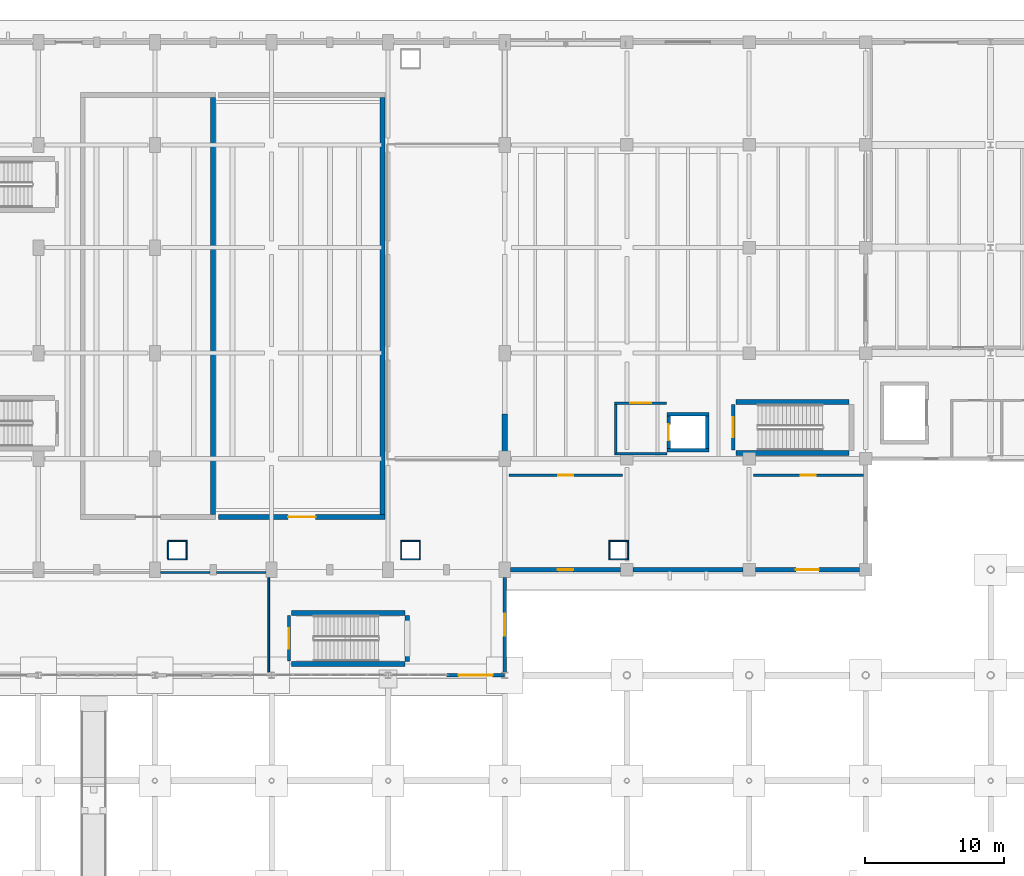
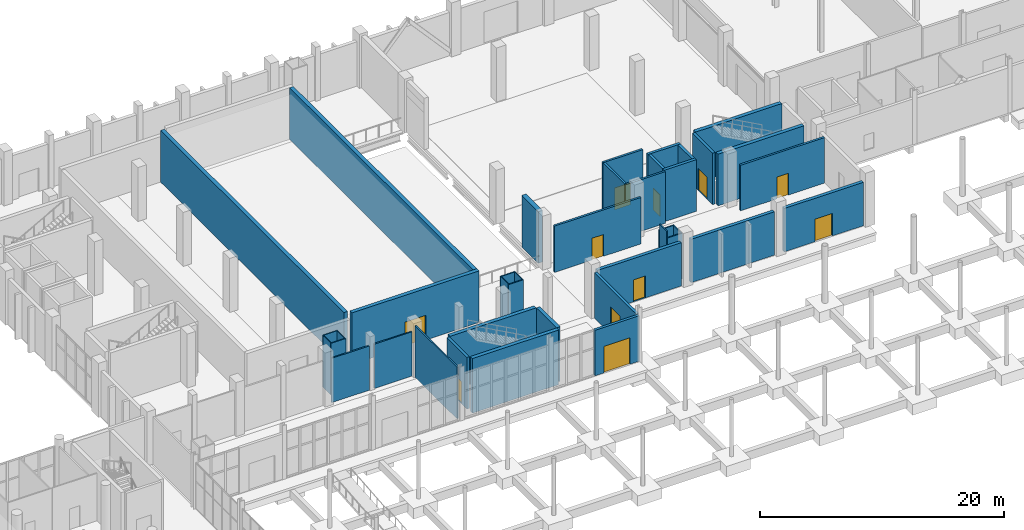
# One storey, part 76 of 95: 40 walls, 10 doors, 1 window, 11 openings.
"""IFC4 building model written with IfcOpenShell, lengths in metres."""

from ifc_helpers import new_model, si_unit, direction, frame, frame_2d, origin, place, context, subcontext, project, spatial, rectangle, extrude, material, layer, layer_set, type_object, element, fill, save


model = new_model("IFC4")

# Units and contexts
model_context = context("Model", 3, precision=1e-05, world=origin(), true_north=direction((0.0, 1.0)))
body_context = subcontext(model_context, "Body", "Model", "MODEL_VIEW")
ifc_project = project(units=[si_unit("LENGTHUNIT", "METRE"), si_unit("AREAUNIT", "SQUARE_METRE"), si_unit("VOLUMEUNIT", "CUBIC_METRE"), si_unit("PLANEANGLEUNIT", "RADIAN"), si_unit("MASSUNIT", "GRAM", prefix="KILO")], contexts=[model_context])

# Site, building, storey
site_placement = place(None, origin())
site = spatial("IfcSite", under=ifc_project, at=site_placement, CompositionType="ELEMENT")
building_placement = place(site_placement, origin())
building = spatial("IfcBuilding", under=site, at=building_placement, Name="Shengluoqiao Park Theatre", CompositionType="ELEMENT")
storey_placement = place(building_placement, origin())
storey = spatial("IfcBuildingStorey", under=building, at=storey_placement, Name="L00", CompositionType="ELEMENT", Elevation=0.0)

# Wall, opening, door
ifc_material_1 = material(Name="Concrete C40", Category="concrete")
ifc_layer_1 = layer(ifc_material_1, 0.31005859375, Name="Concrete C40")
ifc_layer_set_1 = layer_set([ifc_layer_1], Name="Concrete C40")
wall_type_1 = type_object("IfcWallType", Name="ENV-WL-CONC310", PredefinedType="STANDARD", material=ifc_layer_set_1)
wall_1_placement = place(storey_placement, frame((86.803955078125, 76.0, 0.0), z_axis=(0.0, 0.0, 1.0), x_axis=(1.0, 0.0, 0.0)))
wall_1 = element("IfcWall", 1, at=wall_1_placement, inside=storey, type_object=wall_type_1, Name="L00 Exterior Wall 0056", PredefinedType="STANDARD", context=body_context, shape_type="SweptSolid", body=[
    extrude(rectangle(XDim=7.942138671875, YDim=0.31005859375, at=frame_2d((3.97119140625, 0.0))), origin(), (0.0, 0.0, 1.0), 4.327880859375),
])
opening_1_placement = place(wall_1_placement, frame((3.410888671875, 0.0, 0.0)))
opening_1 = element("IfcOpeningElement", 2, at=opening_1_placement, cuts=wall_1, Name="Opening FD-FCR-003", PredefinedType="OPENING", context=body_context, shape_type="SweptSolid", body=[
    extrude(rectangle(XDim=1.1201171875, YDim=2.199951171875, at=frame_2d((0.56005859375, 1.10009765625))), frame((0.0, 0.1650390625, 0.0), z_axis=(0.0, -1.0, 0.0), x_axis=(1.0, 0.0, 0.0)), (0.0, 0.0, 1.0), 0.330078125),
])
ifc_material_2 = material(Name="Steel Q355", Category="steel")
door_type_1 = type_object("IfcDoorType", Name="ENV-DR-EX112", OperationType="NOTDEFINED", PredefinedType="DOOR", material=ifc_material_2)
door_1_placement = place(opening_1_placement, origin())
door_1 = element("IfcDoor", 3, at=door_1_placement, inside=storey, type_object=door_type_1, Name="Main Fire Control Room Direct Exit Door FD-FCR-003", OperationType="SINGLE_SWING_LEFT", OverallHeight=2.199951171875, OverallWidth=1.1201171875, PredefinedType="DOOR", context=body_context, shape_type="SweptSolid", body=[
    extrude(rectangle(XDim=1.1201171875, YDim=2.199951171875, at=frame_2d((0.56005859375, 1.10009765625))), frame((0.0, 0.02490234375, 0.0), z_axis=(0.0, -1.0, 0.0), x_axis=(1.0, 0.0, 0.0)), (0.0, 0.0, 1.0), 0.050048828125),
])
fill(opening_1, door_1)

# Wall
wall_2_placement = place(storey_placement, frame((95.654052734375, 76.0, 0.0), z_axis=(0.0, 0.0, 1.0), x_axis=(1.0, 0.0, 0.0)))
element("IfcWall", 4, at=wall_2_placement, inside=storey, type_object=wall_type_1, Name="L00 Exterior Wall 0057", PredefinedType="STANDARD", context=body_context, shape_type="SweptSolid", body=[
    extrude(rectangle(XDim=7.891845703125, YDim=0.31005859375, at=frame_2d((3.94580078125, 0.0))), origin(), (0.0, 0.0, 1.0), 4.337890625),
])

# Wall, opening, door
wall_3_placement = place(storey_placement, frame((104.4541015625, 76.0, 0.0), z_axis=(0.0, 0.0, 1.0), x_axis=(1.0, 0.0, 0.0)))
wall_3 = element("IfcWall", 5, at=wall_3_placement, inside=storey, type_object=wall_type_1, Name="L00 Exterior Wall 0058", PredefinedType="STANDARD", context=body_context, shape_type="SweptSolid", body=[
    extrude(rectangle(XDim=7.491943359375, YDim=0.31005859375, at=frame_2d((3.74609375, 0.0))), origin(), (0.0, 0.0, 1.0), 4.337890625),
])
opening_2_placement = place(wall_3_placement, frame((2.9208984375, 0.0, 0.0)))
opening_2 = element("IfcOpeningElement", 6, at=opening_2_placement, cuts=wall_3, Name="Opening ED-004", PredefinedType="OPENING", context=body_context, shape_type="SweptSolid", body=[
    extrude(rectangle(XDim=1.64990234375, YDim=2.25, at=frame_2d((0.824951171875, 1.125))), frame((0.0, 0.1650390625, 0.0), z_axis=(0.0, -1.0, 0.0), x_axis=(1.0, 0.0, 0.0)), (0.0, 0.0, 1.0), 0.330078125),
])
door_type_2 = type_object("IfcDoorType", Name="ENV-DR-EX165", OperationType="DOUBLE_DOOR_SINGLE_SWING", PredefinedType="DOOR", material=ifc_material_2)
door_2_placement = place(opening_2_placement, origin())
door_2 = element("IfcDoor", 7, at=door_2_placement, inside=storey, type_object=door_type_2, Name="Stage House South Exit Door ED-004", OperationType="DOUBLE_DOOR_SINGLE_SWING", OverallHeight=2.25, OverallWidth=1.64990234375, PredefinedType="DOOR", context=body_context, shape_type="SweptSolid", body=[
    extrude(rectangle(XDim=1.64990234375, YDim=2.25, at=frame_2d((0.824951171875, 1.125))), frame((0.0, 0.02490234375, 0.0), z_axis=(0.0, -1.0, 0.0), x_axis=(1.0, 0.0, 0.0)), (0.0, 0.0, 1.0), 0.050048828125),
])
fill(opening_2, door_2)

ifc_material_3 = material(Name="Precast concrete C45", Category="concrete")
ifc_layer_2 = layer(ifc_material_3, 0.25, Name="Precast concrete C45")
ifc_layer_set_2 = layer_set([ifc_layer_2], Name="Precast concrete C45")
wall_type_2 = type_object("IfcWallType", Name="ENV-WL-CRYS250", PredefinedType="STANDARD", material=ifc_layer_set_2)
wall_4_placement = place(storey_placement, frame((82.199951171875, 68.39990234375, 0.0), z_axis=(0.0, 0.0, 1.0), x_axis=(1.0, 0.0, 0.0)))
wall_4 = element("IfcWall", 8, at=wall_4_placement, inside=storey, type_object=wall_type_2, Name="L00 Exterior Wall 0112", PredefinedType="STANDARD", context=body_context, shape_type="SweptSolid", body=[
    extrude(rectangle(XDim=4.18798828125, YDim=0.25, at=frame_2d((2.093994140625, 0.0))), origin(), (0.0, 0.0, 1.0), 4.5419921875),
])
opening_3_placement = place(wall_4_placement, frame((0.868896484375, 0.0, 0.0)))
opening_3 = element("IfcOpeningElement", 9, at=opening_3_placement, cuts=wall_4, Name="Opening ED-PROM-011", PredefinedType="OPENING", context=body_context, shape_type="SweptSolid", body=[
    extrude(rectangle(XDim=2.449951171875, YDim=2.64990234375, at=frame_2d((1.22509765625, 1.324951171875))), frame((0.0, 0.135009765625, 0.0), z_axis=(0.0, -1.0, 0.0), x_axis=(1.0, 0.0, 0.0)), (0.0, 0.0, 1.0), 0.27001953125),
])
ifc_material_4 = material(Name="Aluminium 6063-T6", Category="aluminium")
door_type_3 = type_object("IfcDoorType", Name="ENV-DR-EX245", OperationType="DOUBLE_DOOR_SINGLE_SWING", PredefinedType="DOOR", material=ifc_material_4)
door_3_placement = place(opening_3_placement, origin())
door_3 = element("IfcDoor", 10, at=door_3_placement, inside=storey, type_object=door_type_3, Name="South Park Promenade Entrance Door ED-PROM-011", OperationType="DOUBLE_DOOR_SINGLE_SWING", OverallHeight=2.64990234375, OverallWidth=2.449951171875, PredefinedType="DOOR", context=body_context, shape_type="SweptSolid", body=[
    extrude(rectangle(XDim=2.449951171875, YDim=2.64990234375, at=frame_2d((1.22509765625, 1.324951171875))), frame((0.0, 0.02490234375, 0.0), z_axis=(0.0, -1.0, 0.0), x_axis=(1.0, 0.0, 0.0)), (0.0, 0.0, 1.0), 0.050048828125),
])
fill(opening_3, door_3)

# Wall, opening, window
wall_5_placement = place(storey_placement, frame((86.39990234375, 68.611083984375, 0.0), z_axis=(0.0, 0.0, 1.0), x_axis=(0.0, 1.0, 0.0)))
wall_5 = element("IfcWall", 11, at=wall_5_placement, inside=storey, type_object=wall_type_2, Name="L00 Exterior Wall 0293", PredefinedType="STANDARD", context=body_context, shape_type="SweptSolid", body=[
    extrude(rectangle(XDim=6.8349609375, YDim=0.25, at=frame_2d((3.41748046875, 0.0))), origin(), (0.0, 0.0, 1.0), 4.5419921875),
])
opening_4_placement = place(wall_5_placement, frame((2.617431640625, 0.0, 0.949951171875)))
opening_4 = element("IfcOpeningElement", 12, at=opening_4_placement, cuts=wall_5, Name="Opening W-06", PredefinedType="OPENING", context=body_context, shape_type="SweptSolid", body=[
    extrude(rectangle(XDim=1.60009765625, YDim=1.800048828125, at=frame_2d((0.800048828125, 0.89990234375))), frame((0.0, 0.135009765625, 0.0), z_axis=(0.0, -1.0, 0.0), x_axis=(1.0, 0.0, 0.0)), (0.0, 0.0, 1.0), 0.27001953125),
])
ifc_material_5 = material(Name="Insulated glass", Category="glass")
window_type = type_object("IfcWindowType", Name="ENV-WIN-W06", PartitioningType="DOUBLE_PANEL_VERTICAL", PredefinedType="WINDOW", material=ifc_material_5)
window_placement = place(opening_4_placement, origin())
window = element("IfcWindow", 13, at=window_placement, inside=storey, type_object=window_type, Name="L00 Acoustic Window 0125", OverallHeight=1.800048828125, OverallWidth=1.60009765625, PartitioningType="DOUBLE_PANEL_VERTICAL", PredefinedType="WINDOW", context=body_context, shape_type="SweptSolid", body=[
    extrude(rectangle(XDim=1.60009765625, YDim=1.800048828125, at=frame_2d((0.800048828125, 0.89990234375))), frame((0.0, 0.030029296875, 0.0), z_axis=(0.0, -1.0, 0.0), x_axis=(1.0, 0.0, 0.0)), (0.0, 0.0, 1.0), 0.06005859375),
])
fill(opening_4, window)

# Wall
ifc_material_6 = material(Name="Gypsum acoustic stud", Category="gypsum")
ifc_layer_3 = layer(ifc_material_6, 0.360107421875, Name="Gypsum acoustic stud")
ifc_layer_set_3 = layer_set([ifc_layer_3], Name="Gypsum acoustic stud")
wall_type_3 = type_object("IfcWallType", Name="INT-WL-ACO360", PredefinedType="PARTITIONING", material=ifc_layer_set_3)
wall_6_placement = place(storey_placement, frame((65.39990234375, 79.986083984375, 0.0), z_axis=(0.0, 0.0, 1.0), x_axis=(0.0, 1.0, 0.0)))
element("IfcWall", 14, at=wall_6_placement, inside=storey, type_object=wall_type_3, Name="Main Theatre Rear Stalls Partition E", PredefinedType="PARTITIONING", context=body_context, shape_type="SweptSolid", body=[
    extrude(rectangle(XDim=30.02783203125, YDim=0.360107421875, at=frame_2d((15.013916015625, 0.0))), origin(), (0.0, 0.0, 1.0), 5.159912109375),
])

# Wall, opening, door
wall_7_placement = place(storey_placement, frame((65.780029296875, 79.800048828125, 0.0), z_axis=(0.0, 0.0, 1.0), x_axis=(1.0, 0.0, 0.0)))
wall_7 = element("IfcWall", 15, at=wall_7_placement, inside=storey, type_object=wall_type_3, Name="Main Theatre Stalls Partition S", PredefinedType="PARTITIONING", context=body_context, shape_type="SweptSolid", body=[
    extrude(rectangle(XDim=12.0, YDim=0.360107421875, at=frame_2d((6.0, 0.0))), origin(), (0.0, 0.0, 1.0), 5.159912109375),
])
opening_5_placement = place(wall_7_placement, frame((5.010009765625, 0.0, 0.0)))
opening_5 = element("IfcOpeningElement", 16, at=opening_5_placement, cuts=wall_7, Name="Opening D-L00-020", PredefinedType="OPENING", context=body_context, shape_type="SweptSolid", body=[
    extrude(rectangle(XDim=1.97998046875, YDim=2.47998046875, at=frame_2d((0.989990234375, 1.239990234375))), frame((0.0, 0.18994140625, 0.0), z_axis=(0.0, -1.0, 0.0), x_axis=(1.0, 0.0, 0.0)), (0.0, 0.0, 1.0), 0.380126953125),
])
ifc_material_7 = material(Name="Acoustic timber", Category="wood")
door_type_4 = type_object("IfcDoorType", Name="INT-DR-AUD198", OperationType="DOUBLE_DOOR_SINGLE_SWING", PredefinedType="DOOR", material=ifc_material_7)
door_4_placement = place(opening_5_placement, origin())
door_4 = element("IfcDoor", 17, at=door_4_placement, inside=storey, type_object=door_type_4, Name="Main Theatre Stalls Door D-L00-020", OperationType="DOUBLE_DOOR_SINGLE_SWING", OverallHeight=2.47998046875, OverallWidth=1.97998046875, PredefinedType="DOOR", context=body_context, shape_type="SweptSolid", body=[
    extrude(rectangle(XDim=1.97998046875, YDim=2.47998046875, at=frame_2d((0.989990234375, 1.239990234375))), frame((0.0, 0.02490234375, 0.0), z_axis=(0.0, -1.0, 0.0), x_axis=(1.0, 0.0, 0.0)), (0.0, 0.0, 1.0), 0.050048828125),
])
fill(opening_5, door_4)

# Walls
wall_8_placement = place(storey_placement, frame((77.60009765625, 79.986083984375, 0.0), z_axis=(0.0, 0.0, 1.0), x_axis=(0.0, 1.0, 0.0)))
element("IfcWall", 18, at=wall_8_placement, inside=storey, type_object=wall_type_3, Name="Main Theatre Stalls Partition E", PredefinedType="PARTITIONING", context=body_context, shape_type="SweptSolid", body=[
    extrude(rectangle(XDim=30.02783203125, YDim=0.360107421875, at=frame_2d((15.013916015625, 0.0))), origin(), (0.0, 0.0, 1.0), 5.159912109375),
])
ifc_material_8 = material(Name="Concrete blockwork B06", Category="masonry")
ifc_layer_4 = layer(ifc_material_8, 0.195068359375, Name="Concrete blockwork B06")
ifc_layer_set_4 = layer_set([ifc_layer_4], Name="Concrete blockwork B06")
wall_type_4 = type_object("IfcWallType", Name="INT-WL-FFL195", PredefinedType="PARTITIONING", material=ifc_layer_set_4)
wall_9_placement = place(storey_placement, frame((94.31005859375, 84.35009765625, 0.0), z_axis=(0.0, 0.0, 1.0), x_axis=(1.0, 0.0, 0.0)))
element("IfcWall", 19, at=wall_9_placement, inside=storey, type_object=wall_type_4, Name="L00 Firefighting Lift Lobby FF1 Fire Wall S", PredefinedType="PARTITIONING", context=body_context, shape_type="SweptSolid", body=[
    extrude(rectangle(XDim=3.780029296875, YDim=0.195068359375, at=frame_2d((1.89013671875, 0.0))), origin(), (0.0, 0.0, 1.0), 5.159912109375),
])
wall_10_placement = place(storey_placement, frame((94.39990234375, 84.419921875, 0.0), z_axis=(0.0, 0.0, 1.0), x_axis=(0.0, 1.0, 0.0)))
element("IfcWall", 20, at=wall_10_placement, inside=storey, type_object=wall_type_4, Name="L00 Firefighting Lift Lobby FF1 Fire Wall W", PredefinedType="PARTITIONING", context=body_context, shape_type="SweptSolid", body=[
    extrude(rectangle(XDim=3.47509765625, YDim=0.195068359375, at=frame_2d((1.737548828125, 0.0))), origin(), (0.0, 0.0, 1.0), 5.159912109375),
])

# Wall, opening, door
wall_11_placement = place(storey_placement, frame((94.31005859375, 88.0, 0.0), z_axis=(0.0, 0.0, 1.0), x_axis=(1.0, 0.0, 0.0)))
wall_11 = element("IfcWall", 21, at=wall_11_placement, inside=storey, type_object=wall_type_4, Name="L00 Firefighting Lift Lobby FF1 Fire Wall N", PredefinedType="PARTITIONING", context=body_context, shape_type="SweptSolid", body=[
    extrude(rectangle(XDim=3.75, YDim=0.195068359375, at=frame_2d((1.875, 0.0))), origin(), (0.0, 0.0, 1.0), 5.159912109375),
])
opening_6_placement = place(wall_11_placement, frame((1.125, 0.0, 0.0)))
opening_6 = element("IfcOpeningElement", 22, at=opening_6_placement, cuts=wall_11, Name="Opening FD-FFL-1-L00", PredefinedType="OPENING", context=body_context, shape_type="SweptSolid", body=[
    extrude(rectangle(XDim=1.5, YDim=2.199951171875, at=frame_2d((0.75, 1.10009765625))), frame((0.0, 0.107421875, 0.0), z_axis=(0.0, -1.0, 0.0), x_axis=(1.0, 0.0, 0.0)), (0.0, 0.0, 1.0), 0.215087890625),
])
door_type_5 = type_object("IfcDoorType", Name="INT-DR-FFL150", OperationType="DOUBLE_DOOR_SINGLE_SWING", PredefinedType="DOOR", material=ifc_material_2)
door_5_placement = place(opening_6_placement, origin())
door_5 = element("IfcDoor", 23, at=door_5_placement, inside=storey, type_object=door_type_5, Name="L00 Firefighting Lift Lobby FF1 Fire Door FD-FFL-1-L00", OperationType="DOUBLE_DOOR_SINGLE_SWING", OverallHeight=2.199951171875, OverallWidth=1.5, PredefinedType="DOOR", context=body_context, shape_type="SweptSolid", body=[
    extrude(rectangle(XDim=1.5, YDim=2.199951171875, at=frame_2d((0.75, 1.10009765625))), frame((0.0, 0.02490234375, 0.0), z_axis=(0.0, -1.0, 0.0), x_axis=(1.0, 0.0, 0.0)), (0.0, 0.0, 1.0), 0.050048828125),
])
fill(opening_6, door_5)

wall_12_placement = place(storey_placement, frame((86.702392578125, 82.800048828125, 0.0), z_axis=(0.0, 0.0, 1.0), x_axis=(1.0, 0.0, 0.0)))
wall_12 = element("IfcWall", 24, at=wall_12_placement, inside=storey, type_object=wall_type_4, Name="Main Fire Control Room Partition N", PredefinedType="PARTITIONING", context=body_context, shape_type="SweptSolid", body=[
    extrude(rectangle(XDim=8.195068359375, YDim=0.195068359375, at=frame_2d((4.09765625, 0.0))), origin(), (0.0, 0.0, 1.0), 4.637939453125),
])
opening_7_placement = place(wall_12_placement, frame((3.5576171875, 0.0, 0.0)))
opening_7 = element("IfcOpeningElement", 25, at=opening_7_placement, cuts=wall_12, Name="Opening D-L00-017", PredefinedType="OPENING", context=body_context, shape_type="SweptSolid", body=[
    extrude(rectangle(XDim=1.080078125, YDim=2.179931640625, at=frame_2d((0.5400390625, 1.08984375))), frame((0.0, 0.107421875, 0.0), z_axis=(0.0, -1.0, 0.0), x_axis=(1.0, 0.0, 0.0)), (0.0, 0.0, 1.0), 0.215087890625),
])
door_type_6 = type_object("IfcDoorType", Name="INT-DR-FCR108", OperationType="NOTDEFINED", PredefinedType="DOOR", material=ifc_material_2)
door_6_placement = place(opening_7_placement, origin())
door_6 = element("IfcDoor", 26, at=door_6_placement, inside=storey, type_object=door_type_6, Name="Main Fire Control Room Door D-L00-017", OperationType="SINGLE_SWING_LEFT", OverallHeight=2.179931640625, OverallWidth=1.080078125, PredefinedType="DOOR", context=body_context, shape_type="SweptSolid", body=[
    extrude(rectangle(XDim=1.080078125, YDim=2.179931640625, at=frame_2d((0.5400390625, 1.08984375))), frame((0.0, 0.02490234375, 0.0), z_axis=(0.0, -1.0, 0.0), x_axis=(1.0, 0.0, 0.0)), (0.0, 0.0, 1.0), 0.050048828125),
])
fill(opening_7, door_6)

wall_13_placement = place(storey_placement, frame((104.302490234375, 82.800048828125, 0.0), z_axis=(0.0, 0.0, 1.0), x_axis=(1.0, 0.0, 0.0)))
wall_13 = element("IfcWall", 27, at=wall_13_placement, inside=storey, type_object=wall_type_4, Name="Stage Fire Control Room Partition N", PredefinedType="PARTITIONING", context=body_context, shape_type="SweptSolid", body=[
    extrude(rectangle(XDim=7.9345703125, YDim=0.195068359375, at=frame_2d((3.96728515625, 0.0))), origin(), (0.0, 0.0, 1.0), 4.555908203125),
])
opening_8_placement = place(wall_13_placement, frame((3.42724609375, 0.0, 0.0)))
opening_8 = element("IfcOpeningElement", 28, at=opening_8_placement, cuts=wall_13, Name="Opening D-L00-018", PredefinedType="OPENING", context=body_context, shape_type="SweptSolid", body=[
    extrude(rectangle(XDim=1.080078125, YDim=2.179931640625, at=frame_2d((0.5400390625, 1.08984375))), frame((0.0, 0.107421875, 0.0), z_axis=(0.0, -1.0, 0.0), x_axis=(1.0, 0.0, 0.0)), (0.0, 0.0, 1.0), 0.215087890625),
])
door_7_placement = place(opening_8_placement, origin())
door_7 = element("IfcDoor", 29, at=door_7_placement, inside=storey, type_object=door_type_6, Name="Stage Fire Control Room Door D-L00-018", OperationType="SINGLE_SWING_RIGHT", OverallHeight=2.179931640625, OverallWidth=1.080078125, PredefinedType="DOOR", context=body_context, shape_type="SweptSolid", body=[
    extrude(rectangle(XDim=1.080078125, YDim=2.179931640625, at=frame_2d((0.5400390625, 1.08984375))), frame((0.0, 0.02490234375, 0.0), z_axis=(0.0, -1.0, 0.0), x_axis=(1.0, 0.0, 0.0)), (0.0, 0.0, 1.0), 0.050048828125),
])
fill(opening_8, door_7)

# Walls
ifc_material_9 = material(Name="Gypsum shaftwall", Category="gypsum")
ifc_layer_5 = layer(ifc_material_9, 0.094970703125, Name="Gypsum shaftwall")
ifc_layer_set_5 = layer_set([ifc_layer_5], Name="Gypsum shaftwall")
wall_type_5 = type_object("IfcWallType", Name="INT-WL-RSR095", PredefinedType="PARTITIONING", material=ifc_layer_set_5)
for number, where, z_axis, x_axis, name in (
    (30, (62.10498046875, 76.75, 0.0), (0.0, 0.0, 1.0), (1.0, 0.0, 0.0), "L00 Service Riser Shaftwall 017"),
    (31, (62.10498046875, 78.070068359375, 0.0), (0.0, 0.0, 1.0), (1.0, 0.0, 0.0), "L00 Service Riser Shaftwall 018"),
):
    element("IfcWall", number, at=place(storey_placement, frame(where, z_axis=z_axis, x_axis=x_axis)), inside=storey, type_object=wall_type_5, Name=name, PredefinedType="PARTITIONING", context=body_context, shape_type="SweptSolid", body=[
        extrude(rectangle(XDim=1.409912109375, YDim=0.094970703125, at=frame_2d((0.705078125, 0.0))), origin(), (0.0, 0.0, 1.0), 5.159912109375),
    ])
for number, where, z_axis, x_axis, name in (
    (32, (62.14990234375, 76.804931640625, 0.0), (0.0, 0.0, 1.0), (0.0, 1.0, 0.0), "L00 Service Riser Shaftwall 019"),
    (33, (63.469970703125, 76.804931640625, 0.0), (0.0, 0.0, 1.0), (0.0, 1.0, 0.0), "L00 Service Riser Shaftwall 020"),
):
    element("IfcWall", number, at=place(storey_placement, frame(where, z_axis=z_axis, x_axis=x_axis)), inside=storey, type_object=wall_type_5, Name=name, PredefinedType="PARTITIONING", context=body_context, shape_type="SweptSolid", body=[
        extrude(rectangle(XDim=1.2099609375, YDim=0.094970703125, at=frame_2d((0.60498046875, 0.0))), origin(), (0.0, 0.0, 1.0), 5.159912109375),
    ])
for number, where, z_axis, x_axis, name in (
    (34, (78.905029296875, 76.75, 0.0), (0.0, 0.0, 1.0), (1.0, 0.0, 0.0), "L00 Service Riser Shaftwall 021"),
    (35, (78.905029296875, 78.070068359375, 0.0), (0.0, 0.0, 1.0), (1.0, 0.0, 0.0), "L00 Service Riser Shaftwall 022"),
):
    element("IfcWall", number, at=place(storey_placement, frame(where, z_axis=z_axis, x_axis=x_axis)), inside=storey, type_object=wall_type_5, Name=name, PredefinedType="PARTITIONING", context=body_context, shape_type="SweptSolid", body=[
        extrude(rectangle(XDim=1.409912109375, YDim=0.094970703125, at=frame_2d((0.705078125, 0.0))), origin(), (0.0, 0.0, 1.0), 5.159912109375),
    ])
for number, where, z_axis, x_axis, name in (
    (36, (78.949951171875, 76.804931640625, 0.0), (0.0, 0.0, 1.0), (0.0, 1.0, 0.0), "L00 Service Riser Shaftwall 023"),
    (37, (80.27001953125, 76.804931640625, 0.0), (0.0, 0.0, 1.0), (0.0, 1.0, 0.0), "L00 Service Riser Shaftwall 024"),
):
    element("IfcWall", number, at=place(storey_placement, frame(where, z_axis=z_axis, x_axis=x_axis)), inside=storey, type_object=wall_type_5, Name=name, PredefinedType="PARTITIONING", context=body_context, shape_type="SweptSolid", body=[
        extrude(rectangle(XDim=1.2099609375, YDim=0.094970703125, at=frame_2d((0.60498046875, 0.0))), origin(), (0.0, 0.0, 1.0), 5.159912109375),
    ])
for number, where, z_axis, x_axis, name in (
    (38, (93.905029296875, 76.75, 0.0), (0.0, 0.0, 1.0), (1.0, 0.0, 0.0), "L00 Service Riser Shaftwall 029"),
    (39, (93.905029296875, 78.070068359375, 0.0), (0.0, 0.0, 1.0), (1.0, 0.0, 0.0), "L00 Service Riser Shaftwall 030"),
):
    element("IfcWall", number, at=place(storey_placement, frame(where, z_axis=z_axis, x_axis=x_axis)), inside=storey, type_object=wall_type_5, Name=name, PredefinedType="PARTITIONING", context=body_context, shape_type="SweptSolid", body=[
        extrude(rectangle(XDim=1.409912109375, YDim=0.094970703125, at=frame_2d((0.705078125, 0.0))), origin(), (0.0, 0.0, 1.0), 4.555908203125),
    ])
wall_14_placement = place(storey_placement, frame((93.949951171875, 76.804931640625, 0.0), z_axis=(0.0, 0.0, 1.0), x_axis=(0.0, 1.0, 0.0)))
element("IfcWall", 40, at=wall_14_placement, inside=storey, type_object=wall_type_5, Name="L00 Service Riser Shaftwall 031", PredefinedType="PARTITIONING", context=body_context, shape_type="SweptSolid", body=[
    extrude(rectangle(XDim=1.2099609375, YDim=0.094970703125, at=frame_2d((0.60498046875, 0.0))), origin(), (0.0, 0.0, 1.0), 5.159912109375),
])
wall_15_placement = place(storey_placement, frame((95.27001953125, 76.804931640625, 0.0), z_axis=(0.0, 0.0, 1.0), x_axis=(0.0, 1.0, 0.0)))
element("IfcWall", 41, at=wall_15_placement, inside=storey, type_object=wall_type_5, Name="L00 Service Riser Shaftwall 032", PredefinedType="PARTITIONING", context=body_context, shape_type="SweptSolid", body=[
    extrude(rectangle(XDim=1.2099609375, YDim=0.094970703125, at=frame_2d((0.60498046875, 0.0))), origin(), (0.0, 0.0, 1.0), 4.555908203125),
])
ifc_layer_6 = layer(ifc_material_1, 0.260009765625, Name="Concrete C40")
ifc_layer_set_6 = layer_set([ifc_layer_6], Name="Concrete C40")
wall_type_6 = type_object("IfcWallType", Name="INT-WL-SHF260", PredefinedType="STANDARD", material=ifc_layer_set_6)
for number, where, z_axis, x_axis, name in (
    (42, (98.070068359375, 84.60009765625, 0.0), (0.0, 0.0, 1.0), (1.0, 0.0, 0.0), "L00 FF1 Lift Shaft Wall South"),
    (43, (98.070068359375, 87.199951171875, 0.0), (0.0, 0.0, 1.0), (1.0, 0.0, 0.0), "L00 FF1 Lift Shaft Wall North"),
):
    element("IfcWall", number, at=place(storey_placement, frame(where, z_axis=z_axis, x_axis=x_axis)), inside=storey, type_object=wall_type_6, Name=name, PredefinedType="STANDARD", context=body_context, shape_type="SweptSolid", body=[
        extrude(rectangle(XDim=3.059814453125, YDim=0.260009765625, at=frame_2d((1.52978515625, 0.0))), origin(), (0.0, 0.0, 1.0), 5.159912109375),
    ])

# Wall, opening, door
wall_16_placement = place(storey_placement, frame((98.199951171875, 84.736083984375, 0.0), z_axis=(0.0, 0.0, 1.0), x_axis=(0.0, 1.0, 0.0)))
wall_16 = element("IfcWall", 44, at=wall_16_placement, inside=storey, type_object=wall_type_6, Name="L00 FF1 Lift Shaft Wall West", PredefinedType="STANDARD", context=body_context, shape_type="SweptSolid", body=[
    extrude(rectangle(XDim=2.327880859375, YDim=0.260009765625, at=frame_2d((1.1640625, 0.0))), origin(), (0.0, 0.0, 1.0), 5.159912109375),
])
opening_9_placement = place(wall_16_placement, frame((0.589111328125, 0.0, 0.0)))
opening_9 = element("IfcOpeningElement", 45, at=opening_9_placement, cuts=wall_16, Name="Opening LD-FF1-L00", PredefinedType="OPENING", context=body_context, shape_type="SweptSolid", body=[
    extrude(rectangle(XDim=1.14990234375, YDim=2.14990234375, at=frame_2d((0.574951171875, 1.074951171875))), frame((0.0, 0.139892578125, 0.0), z_axis=(0.0, -1.0, 0.0), x_axis=(1.0, 0.0, 0.0)), (0.0, 0.0, 1.0), 0.280029296875),
])
ifc_material_10 = material(Name="Stainless steel 304", Category="steel")
door_type_7 = type_object("IfcDoorType", Name="INT-DR-LD115", OperationType="SLIDING_TO_LEFT", PredefinedType="DOOR", material=ifc_material_10)
door_8_placement = place(opening_9_placement, origin())
door_8 = element("IfcDoor", 46, at=door_8_placement, inside=storey, type_object=door_type_7, Name="FF1 Lift Landing Door LD-FF1-L00", OperationType="SLIDING_TO_LEFT", OverallHeight=2.14990234375, OverallWidth=1.14990234375, PredefinedType="DOOR", context=body_context, shape_type="SweptSolid", body=[
    extrude(rectangle(XDim=1.14990234375, YDim=2.14990234375, at=frame_2d((0.574951171875, 1.074951171875))), frame((0.0, 0.02490234375, 0.0), z_axis=(0.0, -1.0, 0.0), x_axis=(1.0, 0.0, 0.0)), (0.0, 0.0, 1.0), 0.050048828125),
])
fill(opening_9, door_8)

# Walls
wall_17_placement = place(storey_placement, frame((101.0, 84.736083984375, 0.0), z_axis=(0.0, 0.0, 1.0), x_axis=(0.0, 1.0, 0.0)))
element("IfcWall", 47, at=wall_17_placement, inside=storey, type_object=wall_type_6, Name="L00 FF1 Lift Shaft Wall East", PredefinedType="STANDARD", context=body_context, shape_type="SweptSolid", body=[
    extrude(rectangle(XDim=2.327880859375, YDim=0.260009765625, at=frame_2d((1.1640625, 0.0))), origin(), (0.0, 0.0, 1.0), 5.159912109375),
])
ifc_material_11 = material(Name="Gypsum board", Category="gypsum")
ifc_layer_7 = layer(ifc_material_11, 0.135009765625, Name="Gypsum board")
ifc_layer_set_7 = layer_set([ifc_layer_7], Name="Gypsum board")
wall_type_7 = type_object("IfcWallType", Name="INT-WL-STD135", PredefinedType="PARTITIONING", material=ifc_layer_set_7)
wall_18_placement = place(storey_placement, frame((61.60595703125, 75.800048828125, 0.0), z_axis=(0.0, 0.0, 1.0), x_axis=(1.0, 0.0, 0.0)))
element("IfcWall", 48, at=wall_18_placement, inside=storey, type_object=wall_type_7, Name="Theatre Cafe Partition N", PredefinedType="PARTITIONING", context=body_context, shape_type="SweptSolid", body=[
    extrude(rectangle(XDim=3.56298828125, YDim=0.135009765625, at=frame_2d((1.781494140625, 0.0))), origin(), (0.0, 0.0, 1.0), 4.427978515625),
])
wall_19_placement = place(storey_placement, frame((65.631103515625, 75.800048828125, 0.0), z_axis=(0.0, 0.0, 1.0), x_axis=(1.0, 0.0, 0.0)))
element("IfcWall", 49, at=wall_19_placement, inside=storey, type_object=wall_type_7, Name="Theatre Cafe Partition N", PredefinedType="PARTITIONING", context=body_context, shape_type="SweptSolid", body=[
    extrude(rectangle(XDim=3.560791015625, YDim=0.135009765625, at=frame_2d((1.7802734375, 0.0))), origin(), (0.0, 0.0, 1.0), 4.427978515625),
])
wall_20_placement = place(storey_placement, frame((69.39990234375, 68.614990234375, 0.0), z_axis=(0.0, 0.0, 1.0), x_axis=(0.0, 1.0, 0.0)))
element("IfcWall", 50, at=wall_20_placement, inside=storey, type_object=wall_type_7, Name="Theatre Cafe Partition E", PredefinedType="PARTITIONING", context=body_context, shape_type="SweptSolid", body=[
    extrude(rectangle(XDim=6.8291015625, YDim=0.135009765625, at=frame_2d((3.41455078125, 0.0))), origin(), (0.0, 0.0, 1.0), 5.159912109375),
])

# Wall, opening, door
ifc_layer_8 = layer(ifc_material_1, 0.239990234375, Name="Concrete C40")
ifc_layer_set_8 = layer_set([ifc_layer_8], Name="Concrete C40")
wall_type_8 = type_object("IfcWallType", Name="INT-WL-STW240", PredefinedType="STANDARD", material=ifc_layer_set_8)
wall_21_placement = place(storey_placement, frame((102.860107421875, 84.610107421875, 0.0), z_axis=(0.0, 0.0, 1.0), x_axis=(0.0, 1.0, 0.0)))
wall_21 = element("IfcWall", 51, at=wall_21_placement, inside=storey, type_object=wall_type_8, Name="L00 ST-05 Stairwell Fire Wall", PredefinedType="STANDARD", context=body_context, shape_type="SweptSolid", body=[
    extrude(rectangle(XDim=3.27978515625, YDim=0.239990234375, at=frame_2d((1.639892578125, 0.0))), origin(), (0.0, 0.0, 1.0), 5.159912109375),
])
opening_10_placement = place(wall_21_placement, frame((0.9150390625, 0.0, 0.0)))
opening_10 = element("IfcOpeningElement", 52, at=opening_10_placement, cuts=wall_21, Name="Opening SD-05-L00", PredefinedType="OPENING", context=body_context, shape_type="SweptSolid", body=[
    extrude(rectangle(XDim=1.449951171875, YDim=2.199951171875, at=frame_2d((0.72509765625, 1.10009765625))), frame((0.0, 0.1298828125, 0.0), z_axis=(0.0, -1.0, 0.0), x_axis=(1.0, 0.0, 0.0)), (0.0, 0.0, 1.0), 0.260009765625),
])
door_type_8 = type_object("IfcDoorType", Name="INT-DR-STW145", OperationType="DOUBLE_DOOR_SINGLE_SWING", PredefinedType="DOOR", material=ifc_material_2)
door_9_placement = place(opening_10_placement, origin())
door_9 = element("IfcDoor", 53, at=door_9_placement, inside=storey, type_object=door_type_8, Name="L00 ST-05 Escape Stair Door SD-05-L00", OperationType="DOUBLE_DOOR_SINGLE_SWING", OverallHeight=2.199951171875, OverallWidth=1.449951171875, PredefinedType="DOOR", context=body_context, shape_type="SweptSolid", body=[
    extrude(rectangle(XDim=1.449951171875, YDim=2.199951171875, at=frame_2d((0.72509765625, 1.10009765625))), frame((0.0, 0.02490234375, 0.0), z_axis=(0.0, -1.0, 0.0), x_axis=(1.0, 0.0, 0.0)), (0.0, 0.0, 1.0), 0.050048828125),
])
fill(opening_10, door_9)

wall_22_placement = place(storey_placement, frame((70.860107421875, 69.409912109375, 0.0), z_axis=(0.0, 0.0, 1.0), x_axis=(0.0, 1.0, 0.0)))
wall_22 = element("IfcWall", 54, at=wall_22_placement, inside=storey, type_object=wall_type_8, Name="L00 ST-11 Stairwell Fire Wall", PredefinedType="STANDARD", context=body_context, shape_type="SweptSolid", body=[
    extrude(rectangle(XDim=3.280029296875, YDim=0.239990234375, at=frame_2d((1.64013671875, 0.0))), origin(), (0.0, 0.0, 1.0), 5.159912109375),
])
opening_11_placement = place(wall_22_placement, frame((0.9150390625, 0.0, 0.0)))
opening_11 = element("IfcOpeningElement", 55, at=opening_11_placement, cuts=wall_22, Name="Opening SD-11-L00", PredefinedType="OPENING", context=body_context, shape_type="SweptSolid", body=[
    extrude(rectangle(XDim=1.449951171875, YDim=2.199951171875, at=frame_2d((0.72509765625, 1.10009765625))), frame((0.0, 0.1298828125, 0.0), z_axis=(0.0, -1.0, 0.0), x_axis=(1.0, 0.0, 0.0)), (0.0, 0.0, 1.0), 0.260009765625),
])
door_10_placement = place(opening_11_placement, origin())
door_10 = element("IfcDoor", 56, at=door_10_placement, inside=storey, type_object=door_type_8, Name="L00 ST-11 Escape Stair Door SD-11-L00", OperationType="DOUBLE_DOOR_SINGLE_SWING", OverallHeight=2.199951171875, OverallWidth=1.449951171875, PredefinedType="DOOR", context=body_context, shape_type="SweptSolid", body=[
    extrude(rectangle(XDim=1.449951171875, YDim=2.199951171875, at=frame_2d((0.72509765625, 1.10009765625))), frame((0.0, 0.02490234375, 0.0), z_axis=(0.0, -1.0, 0.0), x_axis=(1.0, 0.0, 0.0)), (0.0, 0.0, 1.0), 0.050048828125),
])
fill(opening_11, door_10)

# Walls
ifc_material_12 = material(Name="Concrete C50", Category="concrete")
ifc_layer_9 = layer(ifc_material_12, 0.35009765625, Name="Concrete C50")
ifc_layer_set_9 = layer_set([ifc_layer_9], Name="Concrete C50")
wall_type_9 = type_object("IfcWallType", Name="STR-SW-CORE350", PredefinedType="SHEAR", material=ifc_layer_set_9)
for number, where, z_axis, x_axis, name in (
    (57, (103.050048828125, 84.419921875, 0.0), (0.0, 0.0, 1.0), (1.0, 0.0, 0.0), "L00 ST-05 Core Left Shear Wall 0088"),
    (58, (111.199951171875, 88.080078125, 0.0), (0.0, 0.0, 1.0), (-1.0, 0.0, 0.0), "L00 ST-05 Core Right Shear Wall 0090"),
):
    element("IfcWall", number, at=place(storey_placement, frame(where, z_axis=z_axis, x_axis=x_axis)), inside=storey, type_object=wall_type_9, Name=name, PredefinedType="SHEAR", context=body_context, shape_type="SweptSolid", body=[
        extrude(rectangle(XDim=8.14990234375, YDim=0.35009765625, at=frame_2d((4.074951171875, 0.0))), origin(), (0.0, 0.0, 1.0), 5.159912109375),
    ])
wall_23_placement = place(storey_placement, frame((71.050048828125, 69.219970703125, -0.300048828125), z_axis=(0.0, 0.0, 1.0), x_axis=(1.0, 0.0, 0.0)))
element("IfcWall", 59, at=wall_23_placement, inside=storey, type_object=wall_type_9, Name="L00 ST-11 Core Left Shear Wall 0148", PredefinedType="SHEAR", context=body_context, shape_type="SweptSolid", body=[
    extrude(rectangle(XDim=8.14990234375, YDim=0.35009765625, at=frame_2d((4.074951171875, 0.0))), origin(), (0.0, 0.0, 1.0), 5.4599609375),
])
wall_24_placement = place(storey_placement, frame((79.3798828125, 69.39990234375, -0.300048828125), z_axis=(0.0, 0.0, 1.0), x_axis=(0.0, 1.0, 0.0)))
element("IfcWall", 60, at=wall_24_placement, inside=storey, type_object=wall_type_9, Name="L00 ST-11 Core Far Shear Wall 0149", PredefinedType="SHEAR", context=body_context, shape_type="SweptSolid", body=[
    extrude(rectangle(XDim=3.300048828125, YDim=0.35009765625, at=frame_2d((1.64990234375, 0.0))), origin(), (0.0, 0.0, 1.0), 5.4599609375),
])
wall_25_placement = place(storey_placement, frame((79.199951171875, 72.8798828125, -0.300048828125), z_axis=(0.0, 0.0, 1.0), x_axis=(-1.0, 0.0, 0.0)))
element("IfcWall", 61, at=wall_25_placement, inside=storey, type_object=wall_type_9, Name="L00 ST-11 Core Right Shear Wall 0150", PredefinedType="SHEAR", context=body_context, shape_type="SweptSolid", body=[
    extrude(rectangle(XDim=8.14990234375, YDim=0.35009765625, at=frame_2d((4.074951171875, 0.0))), origin(), (0.0, 0.0, 1.0), 5.4599609375),
])
ifc_layer_10 = layer(ifc_material_12, 0.39990234375, Name="Concrete C50")
ifc_layer_set_10 = layer_set([ifc_layer_10], Name="Concrete C50")
wall_type_10 = type_object("IfcWallType", Name="STR-SW-PROSC400", PredefinedType="SHEAR", material=ifc_layer_set_10)
wall_26_placement = place(storey_placement, frame((86.39990234375, 84.5, 0.0), z_axis=(0.0, 0.0, 1.0), x_axis=(0.0, 1.0, 0.0)))
element("IfcWall", 62, at=wall_26_placement, inside=storey, type_object=wall_type_10, Name="L00 Proscenium Fire Wall South Pier 0017", PredefinedType="SHEAR", context=body_context, shape_type="SweptSolid", body=[
    extrude(rectangle(XDim=2.699951171875, YDim=0.39990234375, at=frame_2d((1.35009765625, 0.0))), origin(), (0.0, 0.0, 1.0), 5.159912109375),
])

save(model, "model.ifc")
